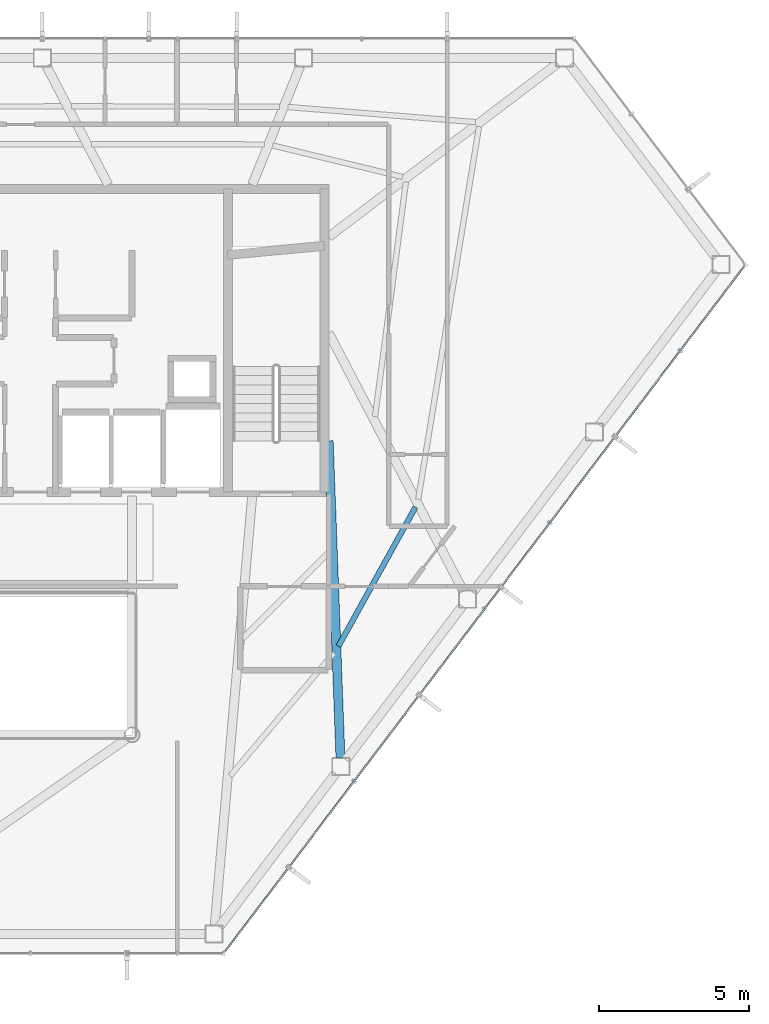
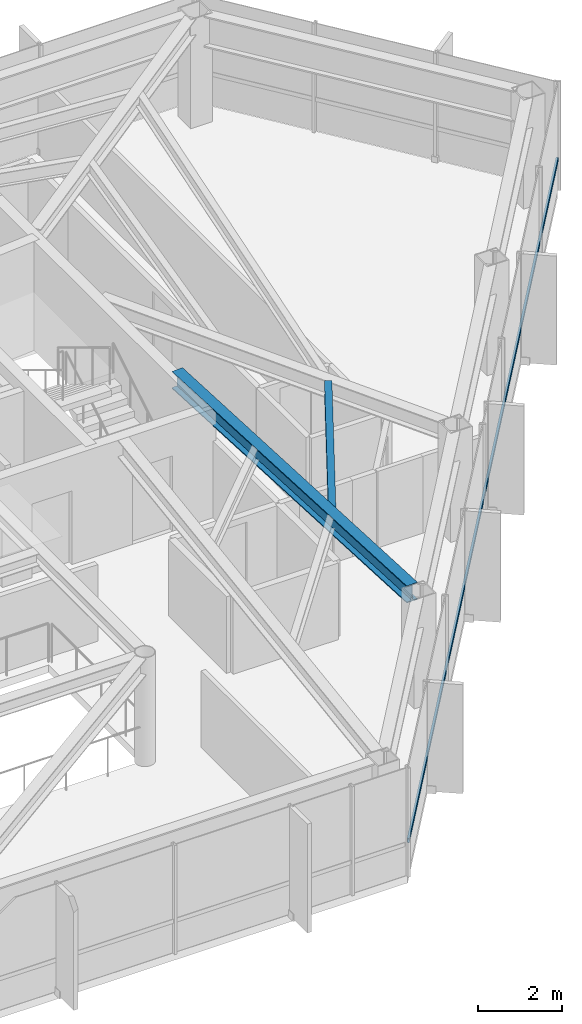
# One storey, part 15 of 25: 2 beams, 1 member, 1 element without a shape of its own.
"""IFC4 building model written with IfcOpenShell, lengths in metres."""

from ifc_helpers import new_model, si_unit, direction, frame, origin, origin_2d, place, context, subcontext, project, spatial, hollow_rectangle, i_section, extrude, material, layer, layer_set, material_profile, profile_set, type_object, element, aggregate, save


model = new_model("IFC4")

# Units and contexts
model_context = context("Model", 3, precision=1e-05, world=origin(), true_north=direction((0.0, 1.0)))
body_context = subcontext(model_context, "Body", "Model", "MODEL_VIEW")
ifc_project = project(units=[si_unit("LENGTHUNIT", "METRE"), si_unit("AREAUNIT", "SQUARE_METRE"), si_unit("VOLUMEUNIT", "CUBIC_METRE"), si_unit("PLANEANGLEUNIT", "RADIAN"), si_unit("MASSUNIT", "GRAM", prefix="KILO")], contexts=[model_context])

# Site, building, storey
site_placement = place(None, origin())
site = spatial("IfcSite", under=ifc_project, at=site_placement, CompositionType="ELEMENT")
building_placement = place(site_placement, origin())
building = spatial("IfcBuilding", under=site, at=building_placement, Name="Zarrinselat Tower", CompositionType="ELEMENT")
storey_placement = place(building_placement, frame((0.0, 0.0, 212.159912109375)))
storey = spatial("IfcBuildingStorey", under=building, at=storey_placement, Name="L52", CompositionType="ELEMENT", Elevation=212.159912109375)

# Beams
ifc_material_1 = material(Name="Steel S355J2", Category="steel")
ifc_material_profile_1 = material_profile(ifc_material_1, i_section(OverallWidth=0.300048828125, OverallDepth=0.5, WebThickness=0.014404296875, FlangeThickness=0.028076171875, at=origin_2d()), Name="HEB 500")
ifc_profile_set_1 = profile_set([ifc_material_profile_1], Name="Steel S355J2")
beam_type_1 = type_object("IfcBeamType", Name="BM-HEB500", PredefinedType="BEAM", material=ifc_profile_set_1)
beam_1_placement = place(storey_placement, frame((48.35009765625, 35.0, 2.93017578125), z_axis=(0.037040718493, -0.999313757122, 0.0), x_axis=(0.999313757122, 0.037040718493, 0.0)))
element("IfcBeam", 1, at=beam_1_placement, inside=storey, type_object=beam_type_1, Name="L52 Radial Primary Girder RG12", PredefinedType="BEAM", context=body_context, shape_type="SweptSolid", body=[
    extrude(i_section(OverallWidth=0.300048828125, OverallDepth=0.5, WebThickness=0.014404296875, FlangeThickness=0.028076171875, at=origin_2d()), origin(), (0.0, 0.0, 1.0), 10.565673828125),
])
ifc_material_2 = material(Name="Steel S355J2", Category="steel")
ifc_material_profile_2 = material_profile(ifc_material_2, i_section(OverallWidth=0.179931640625, OverallDepth=0.39990234375, WebThickness=0.008544921875, FlangeThickness=0.013427734375, at=origin_2d()), Name="IPE 400")
ifc_profile_set_2 = profile_set([ifc_material_profile_2], Name="Steel S355J2")
beam_type_2 = type_object("IfcBeamType", Name="BM-IPE400", PredefinedType="JOIST", material=ifc_profile_set_2)
beam_2_placement = place(storey_placement, frame((48.67626953125, 28.15380859375, 2.97998046875), z_axis=(0.484458092188, 0.874814469995, 0.0), x_axis=(-0.874814469995, 0.484458092188, 0.0)))
element("IfcBeam", 2, at=beam_2_placement, inside=storey, type_object=beam_type_2, Name="L52 Composite Floor Joist 4-1", PredefinedType="JOIST", context=body_context, shape_type="SweptSolid", body=[
    extrude(i_section(OverallWidth=0.179931640625, OverallDepth=0.39990234375, WebThickness=0.008544921875, FlangeThickness=0.013427734375, at=origin_2d()), origin(), (0.0, 0.0, 1.0), 5.302978515625),
])

# Curtain wall, member
ifc_material_3 = material(Name="Extruded Aluminium Alloy EN AW-6063 T6", Category="aluminium")
ifc_layer = layer(ifc_material_3, 0.169921875)
ifc_layer_set = layer_set([ifc_layer], Name="Extruded Aluminium Alloy EN AW-6063 T6")
curtain_wall_type = type_object("IfcCurtainWallType", Name="CWS-RES", PredefinedType="NOTDEFINED", material=ifc_layer_set)
curtain_wall_placement = place(storey_placement, origin())
curtain_wall = element("IfcCurtainWall", 3, at=curtain_wall_placement, inside=storey, type_object=curtain_wall_type, Name="L52 Unitised Curtain Wall CW-L52-E05", PredefinedType="NOTDEFINED")
ifc_material_4 = material(Name="Extruded Aluminium Alloy EN AW-6063 T6", Category="aluminium")
ifc_material_profile_3 = material_profile(ifc_material_4, hollow_rectangle(XDim=0.06005859375, YDim=0.1201171875, WallThickness=0.00390625, at=origin_2d()), Name="RHS 120x60x4")
ifc_profile_set_3 = profile_set([ifc_material_profile_3], Name="Extruded Aluminium Alloy EN AW-6063 T6")
member_type = type_object("IfcMemberType", Name="MEM-CW-TRN2", PredefinedType="USERDEFINED", material=ifc_profile_set_3)
member_placement = place(storey_placement, frame((44.9033203125, 17.982177734375, 0.9501953125), z_axis=(0.603859165425, 0.797091028887, 0.0), x_axis=(-0.797091028887, 0.603859165425, 0.0)))
member = element("IfcMember", 4, at=member_placement, type_object=member_type, Name="CW-L52-E05 Transom 1", ObjectType="TRANSOM", PredefinedType="USERDEFINED", context=body_context, shape_type="SweptSolid", body=[
    extrude(hollow_rectangle(XDim=0.06005859375, YDim=0.1201171875, WallThickness=0.00390625, at=origin_2d()), origin(), (0.0, 0.0, 1.0), 28.6337890625),
])
aggregate(curtain_wall, [member])

save(model, "model.ifc")
